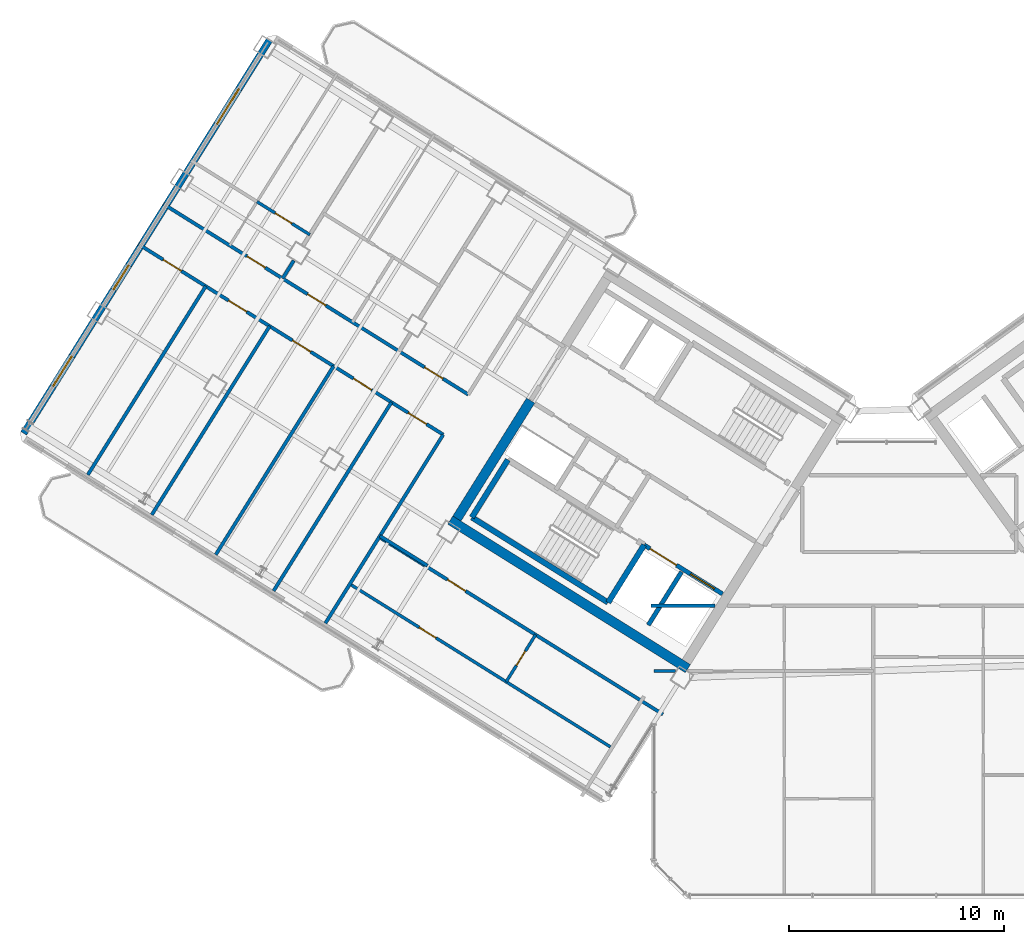
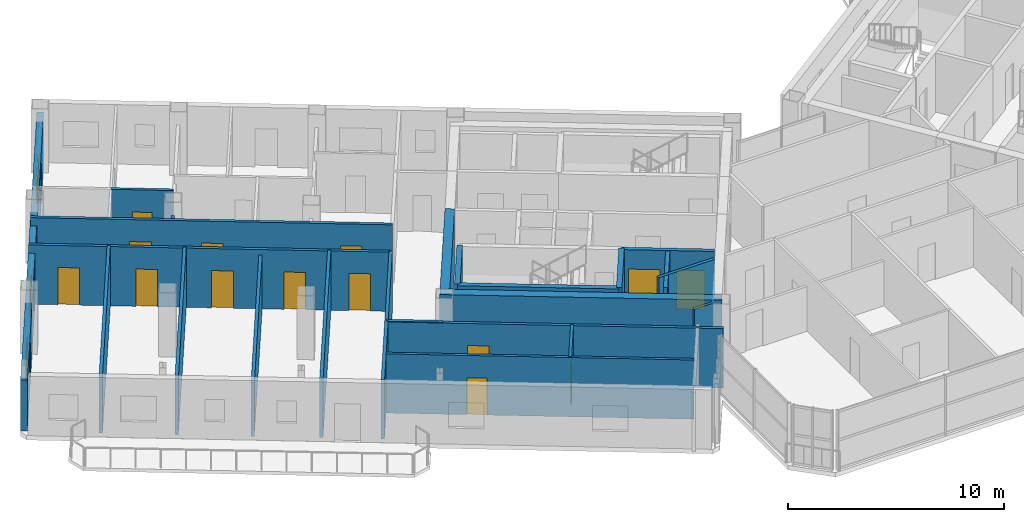
# One storey, part 16 of 29: 23 walls, 14 doors, 3 windows, 17 openings.
"""IFC4 building model written with IfcOpenShell, lengths in metres."""

from ifc_helpers import new_model, si_unit, direction, frame, frame_2d, origin, place, context, subcontext, project, spatial, rectangle, extrude, source, transform, mapped, material, layer, layer_set, type_object, element, fill, save


model = new_model("IFC4")

# Units and contexts
model_context = context("Model", 3, precision=1e-05, world=origin(), true_north=direction((0.0, 1.0)))
body_context = subcontext(model_context, "Body", "Model", "MODEL_VIEW")
ifc_project = project(units=[si_unit("LENGTHUNIT", "METRE"), si_unit("AREAUNIT", "SQUARE_METRE"), si_unit("VOLUMEUNIT", "CUBIC_METRE"), si_unit("PLANEANGLEUNIT", "RADIAN"), si_unit("MASSUNIT", "GRAM", prefix="KILO")], contexts=[model_context])

# Site, building, storey
site_placement = place(None, origin())
site = spatial("IfcSite", under=ifc_project, at=site_placement, CompositionType="ELEMENT")
building_placement = place(site_placement, origin())
building = spatial("IfcBuilding", under=site, at=building_placement, Name="Tlacorven Tower", CompositionType="ELEMENT")
storey_placement = place(building_placement, frame((0.0, 0.0, 238.5)))
storey = spatial("IfcBuildingStorey", under=building, at=storey_placement, Name="L60", CompositionType="ELEMENT", Elevation=238.5)

# Walls
ifc_material_1 = material(Name="Concrete C50/60", Category="concrete")
ifc_layer_1 = layer(ifc_material_1, 0.449951171875)
ifc_layer_set_1 = layer_set([ifc_layer_1], Name="Concrete C50/60")
wall_type_1 = type_object("IfcWallType", Name="WL-COR-450", PredefinedType="SHEAR", material=ifc_layer_set_1)
wall_1_placement = place(storey_placement, frame((33.32373046875, 12.5029296875, 0.0), z_axis=(0.0, 0.0, 1.0), x_axis=(-0.848043529849, 0.529926571782, 0.0)))
element("IfcWall", 1, at=wall_1_placement, inside=storey, type_object=wall_type_1, Name="L60 W core shear wall S2", PredefinedType="SHEAR", context=body_context, shape_type="SweptSolid", body=[
    extrude(rectangle(XDim=13.039794921875, YDim=0.449951171875, at=frame_2d((6.52001953125, 0.0))), origin(), (0.0, 0.0, 1.0), 3.35009765625),
])
wall_2_placement = place(storey_placement, frame((26.006591796875, 24.975830078125, 0.0), z_axis=(0.0, 0.0, 1.0), x_axis=(-0.529931155655, -0.848040665456, 0.0)))
element("IfcWall", 2, at=wall_2_placement, inside=storey, type_object=wall_type_1, Name="L60 W core end wall E2.2", PredefinedType="SHEAR", context=body_context, shape_type="SweptSolid", body=[
    extrude(rectangle(XDim=6.47509765625, YDim=0.449951171875, at=frame_2d((3.237548828125, 0.0))), origin(), (0.0, 0.0, 1.0), 3.35009765625),
])
ifc_material_2 = material(Name="Gypsum plasterboard acoustic partition", Category="gypsum")
ifc_layer_2 = layer(ifc_material_2, 0.159912109375)
ifc_layer_set_2 = layer_set([ifc_layer_2], Name="Gypsum plasterboard acoustic partition")
wall_type_2 = type_object("IfcWallType", Name="WL-DEM-160", PredefinedType="PARTITIONING", material=ifc_layer_set_2)
wall_3_placement = place(storey_placement, frame((21.20556640625, 17.29248046875, 0.0), z_axis=(0.0, 0.0, 1.0), x_axis=(-0.848050851465, 0.529914854792, 0.0)))
element("IfcWall", 3, at=wall_3_placement, inside=storey, type_object=wall_type_2, Name="L60 partition 39", PredefinedType="PARTITIONING", context=body_context, shape_type="SweptSolid", body=[
    extrude(rectangle(XDim=2.60986328125, YDim=0.159912109375, at=frame_2d((1.304931640625, 0.0))), origin(), (0.0, 0.0, 1.0), 3.340087890625),
])
wall_4_placement = place(storey_placement, frame((21.9384765625, 23.390625, 0.0), z_axis=(0.0, 0.0, 1.0), x_axis=(-0.529924725692, -0.848044683434, 0.0)))
element("IfcWall", 4, at=wall_4_placement, inside=storey, type_object=wall_type_2, Name="L60 partition 41", PredefinedType="PARTITIONING", context=body_context, shape_type="SweptSolid", body=[
    extrude(rectangle(XDim=10.349853515625, YDim=0.159912109375, at=frame_2d((5.1748046875, 0.0))), origin(), (0.0, 0.0, 1.0), 3.340087890625),
])

# Wall, openings, doors
wall_5_placement = place(storey_placement, frame((23.104248046875, 25.25634765625, 0.0), z_axis=(0.0, 0.0, 1.0), x_axis=(-0.848041752158, 0.529929416617, 0.0)))
wall_5 = element("IfcWall", 5, at=wall_5_placement, inside=storey, type_object=wall_type_2, Name="L60 Wing W Corridor South Wall", PredefinedType="PARTITIONING", context=body_context, shape_type="SweptSolid", body=[
    extrude(rectangle(XDim=16.72998046875, YDim=0.159912109375, at=frame_2d((8.364990234375, 0.0))), origin(), (0.0, 0.0, 1.0), 3.340087890625),
])
opening_1_placement = place(wall_5_placement, frame((1.39501953125, 0.0, 0.0)))
opening_1 = element("IfcOpeningElement", 6, at=opening_1_placement, cuts=wall_5, Name="Opening D11", PredefinedType="OPENING", context=body_context, shape_type="SweptSolid", body=[
    extrude(rectangle(XDim=1.0, YDim=2.10009765625, at=frame_2d((0.5, 1.050048828125))), frame((0.0, 0.08984375, 0.0), z_axis=(0.0, -1.0, 0.0), x_axis=(1.0, 0.0, 0.0)), (0.0, 0.0, 1.0), 0.179931640625),
])
opening_2_placement = place(wall_5_placement, frame((7.820068359375, 0.0, 0.0)))
opening_2 = element("IfcOpeningElement", 7, at=opening_2_placement, cuts=wall_5, Name="Opening D11", PredefinedType="OPENING", context=body_context, shape_type="SweptSolid", body=[
    extrude(rectangle(XDim=1.0, YDim=2.10009765625, at=frame_2d((0.5, 1.050048828125))), frame((0.0, 0.08984375, 0.0), z_axis=(0.0, -1.0, 0.0), x_axis=(1.0, 0.0, 0.0)), (0.0, 0.0, 1.0), 0.179931640625),
])
opening_3_placement = place(wall_5_placement, frame((11.139892578125, 0.0, 0.0)))
opening_3 = element("IfcOpeningElement", 8, at=opening_3_placement, cuts=wall_5, Name="Opening D11", PredefinedType="OPENING", context=body_context, shape_type="SweptSolid", body=[
    extrude(rectangle(XDim=1.0, YDim=2.10009765625, at=frame_2d((0.5, 1.050048828125))), frame((0.0, 0.08984375, 0.0), z_axis=(0.0, -1.0, 0.0), x_axis=(1.0, 0.0, 0.0)), (0.0, 0.0, 1.0), 0.179931640625),
])
ifc_material_3 = material(Name="Fire-rated steel door assembly", Category="steel")
door_type_1 = type_object("IfcDoorType", Name="DR-FLT-FD60-1000", OperationType="NOTDEFINED", PredefinedType="DOOR", material=ifc_material_3)
shared_shape_1 = source(origin(), body_context, "Body", "SweptSolid", [
    extrude(rectangle(XDim=1.0, YDim=2.10009765625, at=frame_2d((0.5, 1.050048828125))), frame((0.0, 0.02490234375, 0.0), z_axis=(0.0, -1.0, 0.0), x_axis=(1.0, 0.0, 0.0)), (0.0, 0.0, 1.0), 0.050048828125),
])
door_1_placement = place(opening_1_placement, origin())
door_1 = element("IfcDoor", 9, at=door_1_placement, inside=storey, type_object=door_type_1, Name="L60 door 028", OperationType="SINGLE_SWING_LEFT", OverallHeight=2.10009765625, OverallWidth=1.0, PredefinedType="DOOR", context=body_context, shape_type="MappedRepresentation", body=[
    mapped(shared_shape_1, transform((0.0, 0.0, 0.0), scale=1.0)),
])
fill(opening_1, door_1)
door_2_placement = place(opening_2_placement, origin())
door_2 = element("IfcDoor", 10, at=door_2_placement, inside=storey, type_object=door_type_1, Name="L60 door 031", OperationType="SINGLE_SWING_RIGHT", OverallHeight=2.10009765625, OverallWidth=1.0, PredefinedType="DOOR", context=body_context, shape_type="MappedRepresentation", body=[
    mapped(shared_shape_1, transform((0.0, 0.0, 0.0), scale=1.0)),
])
fill(opening_2, door_2)
door_3_placement = place(opening_3_placement, origin())
door_3 = element("IfcDoor", 11, at=door_3_placement, inside=storey, type_object=door_type_1, Name="L60 door 035", OperationType="SINGLE_SWING_RIGHT", OverallHeight=2.10009765625, OverallWidth=1.0, PredefinedType="DOOR", context=body_context, shape_type="MappedRepresentation", body=[
    mapped(shared_shape_1, transform((0.0, 0.0, 0.0), scale=1.0)),
])
fill(opening_3, door_3)

wall_6_placement = place(storey_placement, frame((21.9384765625, 23.390625, 0.0), z_axis=(0.0, 0.0, 1.0), x_axis=(-0.848045850158, 0.529922858565, 0.0)))
wall_6 = element("IfcWall", 12, at=wall_6_placement, inside=storey, type_object=wall_type_2, Name="L60 Wing W Corridor North Wall", PredefinedType="PARTITIONING", context=body_context, shape_type="SweptSolid", body=[
    extrude(rectangle(XDim=16.730224609375, YDim=0.159912109375, at=frame_2d((8.365234375, 0.0))), origin(), (0.0, 0.0, 1.0), 3.340087890625),
])
opening_4_placement = place(wall_6_placement, frame((0.92041015625, 0.0, 0.0)))
opening_4 = element("IfcOpeningElement", 13, at=opening_4_placement, cuts=wall_6, Name="Opening D11", PredefinedType="OPENING", context=body_context, shape_type="SweptSolid", body=[
    extrude(rectangle(XDim=1.0, YDim=2.10009765625, at=frame_2d((0.5, 1.050048828125))), frame((0.0, 0.08984375, 0.0), z_axis=(0.0, -1.0, 0.0), x_axis=(1.0, 0.0, 0.0)), (0.0, 0.0, 1.0), 0.179931640625),
])
opening_5_placement = place(wall_6_placement, frame((3.928466796875, 0.0, 0.0)))
opening_5 = element("IfcOpeningElement", 14, at=opening_5_placement, cuts=wall_6, Name="Opening D11", PredefinedType="OPENING", context=body_context, shape_type="SweptSolid", body=[
    extrude(rectangle(XDim=1.0, YDim=2.10009765625, at=frame_2d((0.5, 1.050048828125))), frame((0.0, 0.08984375, 0.0), z_axis=(0.0, -1.0, 0.0), x_axis=(1.0, 0.0, 0.0)), (0.0, 0.0, 1.0), 0.179931640625),
])
opening_6_placement = place(wall_6_placement, frame((7.2705078125, 0.0, 0.0)))
opening_6 = element("IfcOpeningElement", 15, at=opening_6_placement, cuts=wall_6, Name="Opening D11", PredefinedType="OPENING", context=body_context, shape_type="SweptSolid", body=[
    extrude(rectangle(XDim=1.0, YDim=2.10009765625, at=frame_2d((0.5, 1.050048828125))), frame((0.0, 0.08984375, 0.0), z_axis=(0.0, -1.0, 0.0), x_axis=(1.0, 0.0, 0.0)), (0.0, 0.0, 1.0), 0.179931640625),
])
opening_7_placement = place(wall_6_placement, frame((10.779541015625, 0.0, 0.0)))
opening_7 = element("IfcOpeningElement", 16, at=opening_7_placement, cuts=wall_6, Name="Opening D11", PredefinedType="OPENING", context=body_context, shape_type="SweptSolid", body=[
    extrude(rectangle(XDim=1.0, YDim=2.10009765625, at=frame_2d((0.5, 1.050048828125))), frame((0.0, 0.08984375, 0.0), z_axis=(0.0, -1.0, 0.0), x_axis=(1.0, 0.0, 0.0)), (0.0, 0.0, 1.0), 0.179931640625),
])
opening_8_placement = place(wall_6_placement, frame((14.3720703125, 0.0, 0.0)))
opening_8 = element("IfcOpeningElement", 17, at=opening_8_placement, cuts=wall_6, Name="Opening D11", PredefinedType="OPENING", context=body_context, shape_type="SweptSolid", body=[
    extrude(rectangle(XDim=1.0, YDim=2.10009765625, at=frame_2d((0.5, 1.050048828125))), frame((0.0, 0.08984375, 0.0), z_axis=(0.0, -1.0, 0.0), x_axis=(1.0, 0.0, 0.0)), (0.0, 0.0, 1.0), 0.179931640625),
])
door_4_placement = place(opening_4_placement, origin())
door_4 = element("IfcDoor", 18, at=door_4_placement, inside=storey, type_object=door_type_1, Name="L60 door 023", OperationType="SINGLE_SWING_RIGHT", OverallHeight=2.10009765625, OverallWidth=1.0, PredefinedType="DOOR", context=body_context, shape_type="MappedRepresentation", body=[
    mapped(shared_shape_1, transform((0.0, 0.0, 0.0), scale=1.0)),
])
fill(opening_4, door_4)
door_5_placement = place(opening_5_placement, origin())
door_5 = element("IfcDoor", 19, at=door_5_placement, inside=storey, type_object=door_type_1, Name="L60 door 024", OperationType="SINGLE_SWING_LEFT", OverallHeight=2.10009765625, OverallWidth=1.0, PredefinedType="DOOR", context=body_context, shape_type="MappedRepresentation", body=[
    mapped(shared_shape_1, transform((0.0, 0.0, 0.0), scale=1.0)),
])
fill(opening_5, door_5)
door_6_placement = place(opening_6_placement, origin())
door_6 = element("IfcDoor", 20, at=door_6_placement, inside=storey, type_object=door_type_1, Name="L60 door 025", OperationType="SINGLE_SWING_RIGHT", OverallHeight=2.10009765625, OverallWidth=1.0, PredefinedType="DOOR", context=body_context, shape_type="MappedRepresentation", body=[
    mapped(shared_shape_1, transform((0.0, 0.0, 0.0), scale=1.0)),
])
fill(opening_6, door_6)
door_7_placement = place(opening_7_placement, origin())
door_7 = element("IfcDoor", 21, at=door_7_placement, inside=storey, type_object=door_type_1, Name="L60 door 026", OperationType="SINGLE_SWING_LEFT", OverallHeight=2.10009765625, OverallWidth=1.0, PredefinedType="DOOR", context=body_context, shape_type="MappedRepresentation", body=[
    mapped(shared_shape_1, transform((0.0, 0.0, 0.0), scale=1.0)),
])
fill(opening_7, door_7)
door_8_placement = place(opening_8_placement, origin())
door_8 = element("IfcDoor", 22, at=door_8_placement, inside=storey, type_object=door_type_1, Name="L60 door 027", OperationType="SINGLE_SWING_RIGHT", OverallHeight=2.10009765625, OverallWidth=1.0, PredefinedType="DOOR", context=body_context, shape_type="MappedRepresentation", body=[
    mapped(shared_shape_1, transform((0.0, 0.0, 0.0), scale=1.0)),
])
fill(opening_8, door_8)

# Walls
wall_7_placement = place(storey_placement, frame((19.529052734375, 24.896240234375, 0.0), z_axis=(0.0, 0.0, 1.0), x_axis=(-0.529914125013, -0.848051307476, 0.0)))
element("IfcWall", 23, at=wall_7_placement, inside=storey, type_object=wall_type_2, Name="L60 partition 45", PredefinedType="PARTITIONING", context=body_context, shape_type="SweptSolid", body=[
    extrude(rectangle(XDim=10.35009765625, YDim=0.159912109375, at=frame_2d((5.175048828125, 0.0))), origin(), (0.0, 0.0, 1.0), 3.340087890625),
])
wall_8_placement = place(storey_placement, frame((16.836669921875, 26.57861328125, 0.0), z_axis=(0.0, 0.0, 1.0), x_axis=(-0.529941690036, -0.848034082547, 0.0)))
element("IfcWall", 24, at=wall_8_placement, inside=storey, type_object=wall_type_2, Name="L60 partition 46", PredefinedType="PARTITIONING", context=body_context, shape_type="SweptSolid", body=[
    extrude(rectangle(XDim=10.349853515625, YDim=0.159912109375, at=frame_2d((5.1748046875, 0.0))), origin(), (0.0, 0.0, 1.0), 3.02490234375),
])
wall_9_placement = place(storey_placement, frame((13.86083984375, 28.438232421875, 0.0), z_axis=(0.0, 0.0, 1.0), x_axis=(-0.529931089283, -0.848040706931, 0.0)))
element("IfcWall", 25, at=wall_9_placement, inside=storey, type_object=wall_type_2, Name="L60 partition 47", PredefinedType="PARTITIONING", context=body_context, shape_type="SweptSolid", body=[
    extrude(rectangle(XDim=10.35009765625, YDim=0.159912109375, at=frame_2d((5.175048828125, 0.0))), origin(), (0.0, 0.0, 1.0), 3.340087890625),
])
wall_10_placement = place(storey_placement, frame((10.885009765625, 30.297607421875, 0.0), z_axis=(0.0, 0.0, 1.0), x_axis=(-0.529924725692, -0.848044683434, 0.0)))
element("IfcWall", 26, at=wall_10_placement, inside=storey, type_object=wall_type_2, Name="L60 partition 48", PredefinedType="PARTITIONING", context=body_context, shape_type="SweptSolid", body=[
    extrude(rectangle(XDim=10.349853515625, YDim=0.159912109375, at=frame_2d((5.1748046875, 0.0))), origin(), (0.0, 0.0, 1.0), 3.340087890625),
])
wall_11_placement = place(storey_placement, frame((14.986083984375, 31.494140625, 0.0), z_axis=(0.0, 0.0, 1.0), x_axis=(-0.529821225456, -0.848109349704, 0.0)))
element("IfcWall", 27, at=wall_11_placement, inside=storey, type_object=wall_type_2, Name="L60 WS Demising Wall 2", PredefinedType="PARTITIONING", context=body_context, shape_type="SweptSolid", body=[
    extrude(rectangle(XDim=0.988037109375, YDim=0.159912109375, at=frame_2d((0.494140625, 0.0))), origin(), (0.0, 0.0, 1.0), 2.875),
])

# Wall, opening, door
wall_12_placement = place(storey_placement, frame((32.164306640625, 10.373779296875, 0.0), z_axis=(0.0, 0.0, 1.0), x_axis=(-0.848044107957, 0.529925646633, 0.0)))
wall_12 = element("IfcWall", 28, at=wall_12_placement, inside=storey, type_object=wall_type_2, Name="L60 partition 59", PredefinedType="PARTITIONING", context=body_context, shape_type="SweptSolid", body=[
    extrude(rectangle(XDim=15.570068359375, YDim=0.159912109375, at=frame_2d((7.78515625, 0.0))), origin(), (0.0, 0.0, 1.0), 3.340087890625),
])
opening_9_placement = place(wall_12_placement, frame((10.830078125, 0.0, 0.0)))
opening_9 = element("IfcOpeningElement", 29, at=opening_9_placement, cuts=wall_12, Name="Opening D11", PredefinedType="OPENING", context=body_context, shape_type="SweptSolid", body=[
    extrude(rectangle(XDim=1.0, YDim=2.10009765625, at=frame_2d((0.5, 1.050048828125))), frame((0.0, 0.08984375, 0.0), z_axis=(0.0, -1.0, 0.0), x_axis=(1.0, 0.0, 0.0)), (0.0, 0.0, 1.0), 0.179931640625),
])
door_9_placement = place(opening_9_placement, origin())
door_9 = element("IfcDoor", 30, at=door_9_placement, inside=storey, type_object=door_type_1, Name="L60 door 039", OperationType="SINGLE_SWING_RIGHT", OverallHeight=2.10009765625, OverallWidth=1.0, PredefinedType="DOOR", context=body_context, shape_type="MappedRepresentation", body=[
    mapped(shared_shape_1, transform((0.0, 0.0, 0.0), scale=1.0)),
])
fill(opening_9, door_9)

# Wall
wall_13_placement = place(storey_placement, frame((31.60009765625, 15.419921875, 0.0), z_axis=(0.0, 0.0, 1.0), x_axis=(1.0, 0.0, 0.0)))
element("IfcWall", 31, at=wall_13_placement, inside=storey, type_object=wall_type_2, Name="L60 Knuckle Corridor South Wall", PredefinedType="PARTITIONING", context=body_context, shape_type="SweptSolid", body=[
    extrude(rectangle(XDim=2.984130859375, YDim=0.159912109375, at=frame_2d((1.4921875, 0.0))), origin(), (0.0, 0.0, 1.0), 3.340087890625),
])

# Wall, openings, windows
ifc_material_4 = material(Name="Precast concrete C45/55", Category="concrete")
ifc_layer_3 = layer(ifc_material_4, 0.320068359375)
ifc_layer_set_3 = layer_set([ifc_layer_3], Name="Precast concrete C45/55")
wall_type_3 = type_object("IfcWallType", Name="WL-EXT-320", PredefinedType="STANDARD", material=ifc_layer_set_3)
wall_14_placement = place(storey_placement, frame((2.41455078125, 23.452392578125, 0.0), z_axis=(0.0, 0.0, 1.0), x_axis=(0.52991049553, 0.848053575387, 0.0)))
wall_14 = element("IfcWall", 32, at=wall_14_placement, inside=storey, type_object=wall_type_3, Name="L60 Masonry-Frame Recessed Facade Wall 2", PredefinedType="STANDARD", context=body_context, shape_type="SweptSolid", body=[
    extrude(rectangle(XDim=21.58740234375, YDim=0.320068359375, at=frame_2d((10.793701171875, 0.0))), origin(), (0.0, 0.0, 1.0), 2.875),
])
opening_10_placement = place(wall_14_placement, frame((2.581298828125, 0.0, 0.89990234375)))
opening_10 = element("IfcOpeningElement", 33, at=opening_10_placement, cuts=wall_14, Name="Opening WN07", PredefinedType="OPENING", context=body_context, shape_type="SweptSolid", body=[
    extrude(rectangle(XDim=1.64990234375, YDim=1.449951171875, at=frame_2d((0.824951171875, 0.72509765625))), frame((0.0, 0.169921875, 0.0), z_axis=(0.0, -1.0, 0.0), x_axis=(1.0, 0.0, 0.0)), (0.0, 0.0, 1.0), 0.340087890625),
])
opening_11_placement = place(wall_14_placement, frame((7.878662109375, 0.0, 0.89990234375)))
opening_11 = element("IfcOpeningElement", 34, at=opening_11_placement, cuts=wall_14, Name="Opening WN08", PredefinedType="OPENING", context=body_context, shape_type="SweptSolid", body=[
    extrude(rectangle(XDim=1.35009765625, YDim=1.449951171875, at=frame_2d((0.675048828125, 0.72509765625))), frame((0.0, 0.169921875, 0.0), z_axis=(0.0, -1.0, 0.0), x_axis=(1.0, 0.0, 0.0)), (0.0, 0.0, 1.0), 0.340087890625),
])
opening_12_placement = place(wall_14_placement, frame((16.95361328125, 0.0, 0.949951171875)))
opening_12 = element("IfcOpeningElement", 35, at=opening_12_placement, cuts=wall_14, Name="Opening WN09", PredefinedType="OPENING", context=body_context, shape_type="SweptSolid", body=[
    extrude(rectangle(XDim=1.949951171875, YDim=1.35009765625, at=frame_2d((0.97509765625, 0.675048828125))), frame((0.0, 0.169921875, 0.0), z_axis=(0.0, -1.0, 0.0), x_axis=(1.0, 0.0, 0.0)), (0.0, 0.0, 1.0), 0.340087890625),
])
ifc_material_5 = material(Name="Dark solar low-E double glazing in anodised aluminium frame", Category="aluminium")
window_type_1 = type_object("IfcWindowType", Name="WN-APT-1650X1600", PartitioningType="SINGLE_PANEL", PredefinedType="WINDOW", material=ifc_material_5)
shared_shape_2 = source(origin(), body_context, "Body", "SweptSolid", [
    extrude(rectangle(XDim=1.64990234375, YDim=1.449951171875, at=frame_2d((0.824951171875, 0.72509765625))), frame((0.0, 0.030029296875, 0.0), z_axis=(0.0, -1.0, 0.0), x_axis=(1.0, 0.0, 0.0)), (0.0, 0.0, 1.0), 0.06005859375),
])
window_1_placement = place(opening_10_placement, origin())
window_1 = element("IfcWindow", 36, at=window_1_placement, inside=storey, type_object=window_type_1, Name="L60 Recessed Masonry-Frame Window L60-02.1", OverallHeight=1.449951171875, OverallWidth=1.64990234375, PartitioningType="SINGLE_PANEL", PredefinedType="WINDOW", context=body_context, shape_type="MappedRepresentation", body=[
    mapped(shared_shape_2, transform((0.0, 0.0, 0.0), scale=1.0)),
])
fill(opening_10, window_1)
window_type_2 = type_object("IfcWindowType", Name="WN-APT-1350X1550", PartitioningType="SINGLE_PANEL", PredefinedType="WINDOW", material=ifc_material_5)
shared_shape_3 = source(origin(), body_context, "Body", "SweptSolid", [
    extrude(rectangle(XDim=1.35009765625, YDim=1.449951171875, at=frame_2d((0.675048828125, 0.72509765625))), frame((0.0, 0.030029296875, 0.0), z_axis=(0.0, -1.0, 0.0), x_axis=(1.0, 0.0, 0.0)), (0.0, 0.0, 1.0), 0.06005859375),
])
window_2_placement = place(opening_11_placement, origin())
window_2 = element("IfcWindow", 37, at=window_2_placement, inside=storey, type_object=window_type_2, Name="L60 Recessed Masonry-Frame Window L60-02.2", OverallHeight=1.449951171875, OverallWidth=1.35009765625, PartitioningType="SINGLE_PANEL", PredefinedType="WINDOW", context=body_context, shape_type="MappedRepresentation", body=[
    mapped(shared_shape_3, transform((0.0, 0.0, 0.0), scale=1.0)),
])
fill(opening_11, window_2)
window_type_3 = type_object("IfcWindowType", Name="WN-GAL-1950X1450", PartitioningType="SINGLE_PANEL", PredefinedType="WINDOW", material=ifc_material_5)
shared_shape_4 = source(origin(), body_context, "Body", "SweptSolid", [
    extrude(rectangle(XDim=1.949951171875, YDim=1.35009765625, at=frame_2d((0.97509765625, 0.675048828125))), frame((0.0, 0.030029296875, 0.0), z_axis=(0.0, -1.0, 0.0), x_axis=(1.0, 0.0, 0.0)), (0.0, 0.0, 1.0), 0.06005859375),
])
window_3_placement = place(opening_12_placement, origin())
window_3 = element("IfcWindow", 38, at=window_3_placement, inside=storey, type_object=window_type_3, Name="L60 Recessed Masonry-Frame Window L60-02.3", OverallHeight=1.35009765625, OverallWidth=1.949951171875, PartitioningType="SINGLE_PANEL", PredefinedType="WINDOW", context=body_context, shape_type="MappedRepresentation", body=[
    mapped(shared_shape_4, transform((0.0, 0.0, 0.0), scale=1.0)),
])
fill(opening_12, window_3)

# Wall, opening, door
ifc_material_6 = material(Name="Moisture-resistant gypsum plumbing wall", Category="gypsum")
ifc_layer_4 = layer(ifc_material_6, 0.139892578125)
ifc_layer_set_4 = layer_set([ifc_layer_4], Name="Moisture-resistant gypsum plumbing wall")
wall_type_4 = type_object("IfcWallType", Name="WL-PLM-140", PredefinedType="PLUMBINGWALL", material=ifc_layer_set_4)
wall_15_placement = place(storey_placement, frame((15.734375, 32.691650390625, 0.0), z_axis=(0.0, 0.0, 1.0), x_axis=(-0.848059786386, 0.529900555496, 0.0)))
wall_15 = element("IfcWall", 39, at=wall_15_placement, inside=storey, type_object=wall_type_4, Name="L60 partition 57", PredefinedType="PLUMBINGWALL", context=body_context, shape_type="SweptSolid", body=[
    extrude(rectangle(XDim=2.89990234375, YDim=0.139892578125, at=frame_2d((1.449951171875, 0.0))), origin(), (0.0, 0.0, 1.0), 3.340087890625),
])
opening_13_placement = place(wall_15_placement, frame((0.989990234375, 0.0, 0.0)))
opening_13 = element("IfcOpeningElement", 40, at=opening_13_placement, cuts=wall_15, Name="Opening D12", PredefinedType="OPENING", context=body_context, shape_type="SweptSolid", body=[
    extrude(rectangle(XDim=0.919921875, YDim=2.080078125, at=frame_2d((0.4599609375, 1.0400390625))), frame((0.0, 0.080078125, 0.0), z_axis=(0.0, -1.0, 0.0), x_axis=(1.0, 0.0, 0.0)), (0.0, 0.0, 1.0), 0.159912109375),
])
ifc_material_7 = material(Name="Powder-coated aluminium and timber door", Category="wood")
door_type_2 = type_object("IfcDoorType", Name="DR-INT-ROOM-0920", OperationType="NOTDEFINED", PredefinedType="DOOR", material=ifc_material_7)
shared_shape_5 = source(origin(), body_context, "Body", "SweptSolid", [
    extrude(rectangle(XDim=0.919921875, YDim=2.080078125, at=frame_2d((0.4599609375, 1.0400390625))), frame((0.0, 0.02490234375, 0.0), z_axis=(0.0, -1.0, 0.0), x_axis=(1.0, 0.0, 0.0)), (0.0, 0.0, 1.0), 0.050048828125),
])
door_10_placement = place(opening_13_placement, origin())
door_10 = element("IfcDoor", 41, at=door_10_placement, inside=storey, type_object=door_type_2, Name="L60 door 036", OperationType="SINGLE_SWING_RIGHT", OverallHeight=2.080078125, OverallWidth=0.919921875, PredefinedType="DOOR", context=body_context, shape_type="MappedRepresentation", body=[
    mapped(shared_shape_5, transform((0.0, 0.0, 0.0), scale=1.0)),
])
fill(opening_13, door_10)

wall_16_placement = place(storey_placement, frame((29.72021484375, 8.85888671875, 0.0), z_axis=(0.0, 0.0, 1.0), x_axis=(-0.848049134363, 0.529917602752, 0.0)))
wall_16 = element("IfcWall", 42, at=wall_16_placement, inside=storey, type_object=wall_type_4, Name="L60 partition 61", PredefinedType="PLUMBINGWALL", context=body_context, shape_type="SweptSolid", body=[
    extrude(rectangle(XDim=14.300048828125, YDim=0.139892578125, at=frame_2d((7.14990234375, 0.0))), origin(), (0.0, 0.0, 1.0), 3.340087890625),
])
opening_14_placement = place(wall_16_placement, frame((9.570068359375, 0.0, 0.0)))
opening_14 = element("IfcOpeningElement", 43, at=opening_14_placement, cuts=wall_16, Name="Opening D12", PredefinedType="OPENING", context=body_context, shape_type="SweptSolid", body=[
    extrude(rectangle(XDim=0.919921875, YDim=2.080078125, at=frame_2d((0.4599609375, 1.0400390625))), frame((0.0, 0.080078125, 0.0), z_axis=(0.0, -1.0, 0.0), x_axis=(1.0, 0.0, 0.0)), (0.0, 0.0, 1.0), 0.159912109375),
])
door_11_placement = place(opening_14_placement, origin())
door_11 = element("IfcDoor", 44, at=door_11_placement, inside=storey, type_object=door_type_2, Name="L60 door 040", OperationType="SINGLE_SWING_LEFT", OverallHeight=2.080078125, OverallWidth=0.919921875, PredefinedType="DOOR", context=body_context, shape_type="MappedRepresentation", body=[
    mapped(shared_shape_5, transform((0.0, 0.0, 0.0), scale=1.0)),
])
fill(opening_14, door_11)

wall_17_placement = place(storey_placement, frame((26.236572265625, 14.077880859375, 0.0), z_axis=(0.0, 0.0, 1.0), x_axis=(-0.52995640672, -0.848024885824, 0.0)))
wall_17 = element("IfcWall", 45, at=wall_17_placement, inside=storey, type_object=wall_type_4, Name="L60 partition 62", PredefinedType="PLUMBINGWALL", context=body_context, shape_type="SweptSolid", body=[
    extrude(rectangle(XDim=2.579833984375, YDim=0.139892578125, at=frame_2d((1.2900390625, 0.0))), origin(), (0.0, 0.0, 1.0), 3.340087890625),
])
opening_15_placement = place(wall_17_placement, frame((0.89990234375, 0.0, 0.0)))
opening_15 = element("IfcOpeningElement", 46, at=opening_15_placement, cuts=wall_17, Name="Opening D22", PredefinedType="OPENING", context=body_context, shape_type="SweptSolid", body=[
    extrude(rectangle(XDim=0.780029296875, YDim=2.050048828125, at=frame_2d((0.39013671875, 1.02490234375))), frame((0.0, 0.080078125, 0.0), z_axis=(0.0, -1.0, 0.0), x_axis=(1.0, 0.0, 0.0)), (0.0, 0.0, 1.0), 0.159912109375),
])
door_type_3 = type_object("IfcDoorType", Name="DR-INT-WET-0780", OperationType="NOTDEFINED", PredefinedType="DOOR", material=ifc_material_7)
shared_shape_6 = source(origin(), body_context, "Body", "SweptSolid", [
    extrude(rectangle(XDim=0.780029296875, YDim=2.050048828125, at=frame_2d((0.39013671875, 1.02490234375))), frame((0.0, 0.02490234375, 0.0), z_axis=(0.0, -1.0, 0.0), x_axis=(1.0, 0.0, 0.0)), (0.0, 0.0, 1.0), 0.050048828125),
])
door_12_placement = place(opening_15_placement, origin())
door_12 = element("IfcDoor", 47, at=door_12_placement, inside=storey, type_object=door_type_3, Name="L60 door 041", OperationType="SINGLE_SWING_RIGHT", OverallHeight=2.050048828125, OverallWidth=0.780029296875, PredefinedType="DOOR", context=body_context, shape_type="MappedRepresentation", body=[
    mapped(shared_shape_6, transform((0.0, 0.0, 0.0), scale=1.0)),
])
fill(opening_15, door_12)

# Wall
wall_18_placement = place(storey_placement, frame((31.739990234375, 12.389892578125, 0.0), z_axis=(0.0, 0.0, 1.0), x_axis=(1.0, 0.0, 0.0)))
element("IfcWall", 48, at=wall_18_placement, inside=storey, type_object=wall_type_4, Name="L60 partition 72", PredefinedType="PLUMBINGWALL", context=body_context, shape_type="SweptSolid", body=[
    extrude(rectangle(XDim=1.009765625, YDim=0.139892578125, at=frame_2d((0.5048828125, 0.0))), origin(), (0.0, 0.0, 1.0), 3.340087890625),
])

# Wall, openings, doors
ifc_material_8 = material(Name="Concrete C40/50", Category="concrete")
ifc_layer_5 = layer(ifc_material_8, 0.199951171875)
ifc_layer_set_5 = layer_set([ifc_layer_5], Name="Concrete C40/50")
wall_type_5 = type_object("IfcWallType", Name="WL-SHF-200", PredefinedType="STANDARD", material=ifc_layer_set_5)
wall_19_placement = place(storey_placement, frame((34.93310546875, 15.978271484375, 0.0), z_axis=(0.0, 0.0, 1.0), x_axis=(-0.848055739377, 0.529907032327, 0.0)))
wall_19 = element("IfcWall", 49, at=wall_19_placement, inside=storey, type_object=wall_type_5, Name="L60 Core W Firefighting Lift Shaft Front Wall", PredefinedType="STANDARD", context=body_context, shape_type="SweptSolid", body=[
    extrude(rectangle(XDim=4.298095703125, YDim=0.199951171875, at=frame_2d((2.14892578125, 0.0))), origin(), (0.0, 0.0, 1.0), 3.340087890625),
])
opening_16_placement = place(wall_19_placement, frame((0.447998046875, 0.0, 0.0)))
opening_16 = element("IfcOpeningElement", 50, at=opening_16_placement, cuts=wall_19, Name="Opening LD03", PredefinedType="OPENING", context=body_context, shape_type="SweptSolid", body=[
    extrude(rectangle(XDim=1.300048828125, YDim=2.199951171875, at=frame_2d((0.64990234375, 1.10009765625))), frame((0.0, 0.10986328125, 0.0), z_axis=(0.0, -1.0, 0.0), x_axis=(1.0, 0.0, 0.0)), (0.0, 0.0, 1.0), 0.219970703125),
])
opening_17_placement = place(wall_19_placement, frame((2.52294921875, 0.0, 0.0)))
opening_17 = element("IfcOpeningElement", 51, at=opening_17_placement, cuts=wall_19, Name="Opening LD04", PredefinedType="OPENING", context=body_context, shape_type="SweptSolid", body=[
    extrude(rectangle(XDim=1.449951171875, YDim=2.25, at=frame_2d((0.72509765625, 1.125))), frame((0.0, 0.10986328125, 0.0), z_axis=(0.0, -1.0, 0.0), x_axis=(1.0, 0.0, 0.0)), (0.0, 0.0, 1.0), 0.219970703125),
])
door_type_4 = type_object("IfcDoorType", Name="DR-LFT-SLID-1300", OperationType="DOUBLE_DOOR_SLIDING", PredefinedType="DOOR", material=ifc_material_3)
shared_shape_7 = source(origin(), body_context, "Body", "SweptSolid", [
    extrude(rectangle(XDim=1.300048828125, YDim=2.199951171875, at=frame_2d((0.64990234375, 1.10009765625))), frame((0.0, 0.02490234375, 0.0), z_axis=(0.0, -1.0, 0.0), x_axis=(1.0, 0.0, 0.0)), (0.0, 0.0, 1.0), 0.050048828125),
])
door_13_placement = place(opening_16_placement, origin())
door_13 = element("IfcDoor", 52, at=door_13_placement, inside=storey, type_object=door_type_4, Name="L60 Lift FFL-W1 Sliding Landing Door", OperationType="DOUBLE_DOOR_SLIDING", OverallHeight=2.199951171875, OverallWidth=1.300048828125, PredefinedType="DOOR", context=body_context, shape_type="MappedRepresentation", body=[
    mapped(shared_shape_7, transform((0.0, 0.0, 0.0), scale=1.0)),
])
fill(opening_16, door_13)
door_type_5 = type_object("IfcDoorType", Name="DR-LFT-SLID-1450", OperationType="DOUBLE_DOOR_SLIDING", PredefinedType="DOOR", material=ifc_material_3)
shared_shape_8 = source(origin(), body_context, "Body", "SweptSolid", [
    extrude(rectangle(XDim=1.449951171875, YDim=2.25, at=frame_2d((0.72509765625, 1.125))), frame((0.0, 0.02490234375, 0.0), z_axis=(0.0, -1.0, 0.0), x_axis=(1.0, 0.0, 0.0)), (0.0, 0.0, 1.0), 0.050048828125),
])
door_14_placement = place(opening_17_placement, origin())
door_14 = element("IfcDoor", 53, at=door_14_placement, inside=storey, type_object=door_type_5, Name="L60 Lift SVL-W1 Sliding Landing Door", OperationType="DOUBLE_DOOR_SLIDING", OverallHeight=2.25, OverallWidth=1.449951171875, PredefinedType="DOOR", context=body_context, shape_type="MappedRepresentation", body=[
    mapped(shared_shape_8, transform((0.0, 0.0, 0.0), scale=1.0)),
])
fill(opening_17, door_14)

# Walls
wall_20_placement = place(storey_placement, frame((33.02880859375, 17.003173828125, 0.0), z_axis=(0.0, 0.0, 1.0), x_axis=(-0.529916267533, -0.848049968695, 0.0)))
element("IfcWall", 54, at=wall_20_placement, inside=storey, type_object=wall_type_5, Name="L60 partition 11", PredefinedType="STANDARD", context=body_context, shape_type="SweptSolid", body=[
    extrude(rectangle(XDim=2.919921875, YDim=0.199951171875, at=frame_2d((1.4599609375, 0.0))), origin(), (0.0, 0.0, 1.0), 3.340087890625),
])
ifc_layer_6 = layer(ifc_material_1, 0.260009765625)
ifc_layer_set_6 = layer_set([ifc_layer_6], Name="Concrete C50/60")
wall_type_6 = type_object("IfcWallType", Name="WL-STW-260", PredefinedType="SHEAR", material=ifc_layer_set_6)
wall_21_placement = place(storey_placement, frame((29.60498046875, 15.581298828125, 0.0), z_axis=(0.0, 0.0, 1.0), x_axis=(-0.848036911448, 0.529937163087, 0.0)))
element("IfcWall", 55, at=wall_21_placement, inside=storey, type_object=wall_type_6, Name="L60 Stair W1 Far Shear Wall", PredefinedType="SHEAR", context=body_context, shape_type="SweptSolid", body=[
    extrude(rectangle(XDim=7.4599609375, YDim=0.260009765625, at=frame_2d((3.72998046875, 0.0))), origin(), (0.0, 0.0, 1.0), 3.35009765625),
])
wall_22_placement = place(storey_placement, frame((31.2880859375, 18.255859375, 0.0), z_axis=(0.0, 0.0, 1.0), x_axis=(-0.529943379326, -0.848033026897, 0.0)))
element("IfcWall", 56, at=wall_22_placement, inside=storey, type_object=wall_type_6, Name="L60 Stair W1 West Shear Wall", PredefinedType="SHEAR", context=body_context, shape_type="SweptSolid", body=[
    extrude(rectangle(XDim=3.159912109375, YDim=0.260009765625, at=frame_2d((1.580078125, 0.0))), origin(), (0.0, 0.0, 1.0), 3.35009765625),
])
wall_23_placement = place(storey_placement, frame((24.944580078125, 22.2197265625, 0.0), z_axis=(0.0, 0.0, 1.0), x_axis=(-0.529908658664, -0.84805472316, 0.0)))
element("IfcWall", 57, at=wall_23_placement, inside=storey, type_object=wall_type_6, Name="L60 Stair W1 East Shear Wall", PredefinedType="SHEAR", context=body_context, shape_type="SweptSolid", body=[
    extrude(rectangle(XDim=3.16015625, YDim=0.260009765625, at=frame_2d((1.580078125, 0.0))), origin(), (0.0, 0.0, 1.0), 3.35009765625),
])

save(model, "model.ifc")
